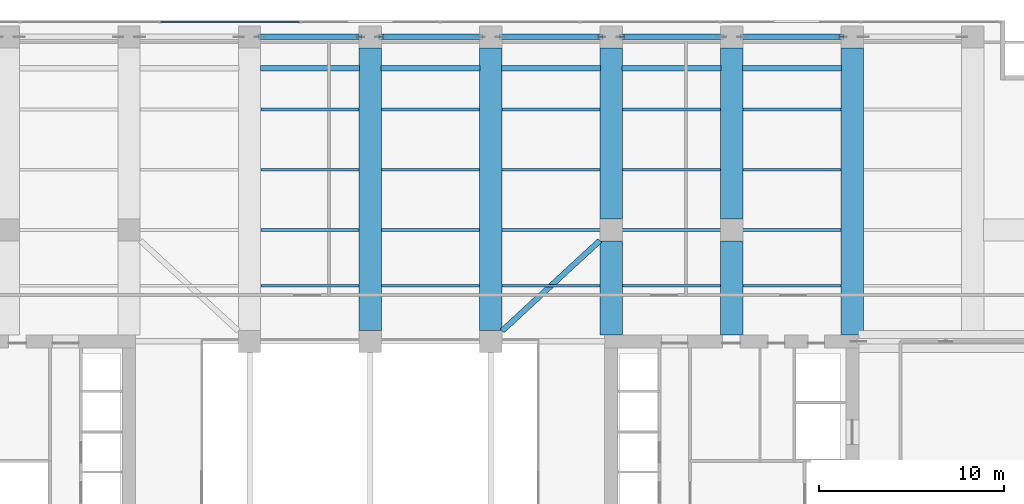
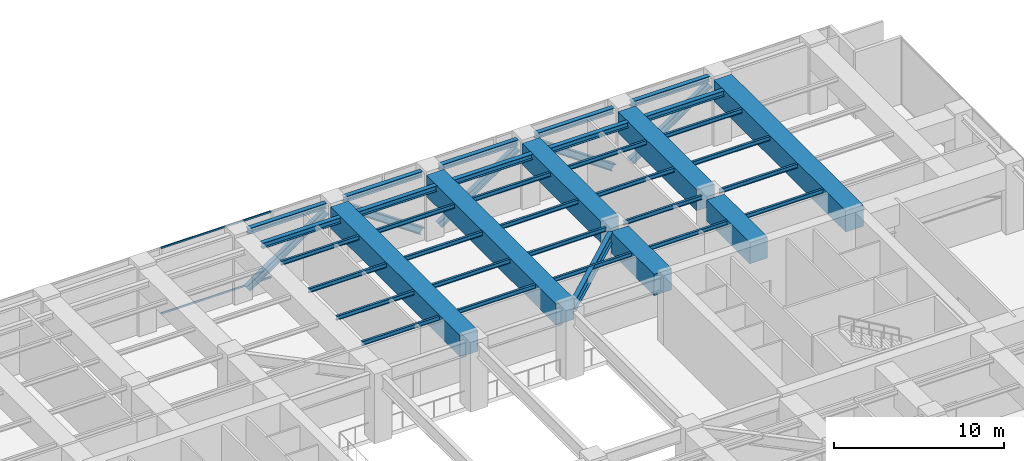
# One storey, part 9 of 28: 38 beams, 7 members, 1 element without a shape of its own.
"""IFC4 building model written with IfcOpenShell, lengths in metres."""

from ifc_helpers import new_model, si_unit, direction, frame, origin, origin_2d, place, context, subcontext, project, spatial, rectangle, i_section, extrude, material, layer, layer_set, material_profile, profile_set, type_object, element, aggregate, save


model = new_model("IFC4")

# Units and contexts
model_context = context("Model", 3, precision=1e-05, world=origin(), true_north=direction((0.0, 1.0)))
body_context = subcontext(model_context, "Body", "Model", "MODEL_VIEW")
ifc_project = project(units=[si_unit("LENGTHUNIT", "METRE"), si_unit("AREAUNIT", "SQUARE_METRE"), si_unit("VOLUMEUNIT", "CUBIC_METRE"), si_unit("PLANEANGLEUNIT", "RADIAN"), si_unit("MASSUNIT", "GRAM", prefix="KILO")], contexts=[model_context])

# Site, building, storey
site_placement = place(None, origin())
site = spatial("IfcSite", under=ifc_project, at=site_placement, CompositionType="ELEMENT")
building_placement = place(site_placement, origin())
building = spatial("IfcBuilding", under=site, at=building_placement, Name="Putna Gate Headquarters", CompositionType="ELEMENT")
storey_placement = place(building_placement, frame((0.0, 0.0, 139.199951171875)))
storey = spatial("IfcBuildingStorey", under=building, at=storey_placement, Name="L34", CompositionType="ELEMENT", Elevation=139.199951171875)

# Beams
ifc_material_1 = material(Name="Steel S355J2", Category="steel")
ifc_material_profile_1 = material_profile(ifc_material_1, i_section(OverallWidth=0.300048828125, OverallDepth=0.800048828125, WebThickness=0.017578125, FlangeThickness=0.032958984375, at=origin_2d()), Name="Steel S355J2")
ifc_profile_set_1 = profile_set([ifc_material_profile_1], Name="Steel S355J2")
beam_type_1 = type_object("IfcBeamType", Name="BM-GIRD-P-HEB800", PredefinedType="USERDEFINED", material=ifc_profile_set_1)
beam_1_placement = place(storey_placement, frame((51.3857421875, 38.43310546875, 4.3720703125), z_axis=(-0.734787788201, -0.678297063469, 0.0), x_axis=(0.678297063469, -0.734787788201, 0.0)))
element("IfcBeam", 1, at=beam_1_placement, inside=storey, type_object=beam_type_1, Name="L34 Core Flank Collector Tie Girder NE", ObjectType="GIRDER", PredefinedType="USERDEFINED", context=body_context, shape_type="SweptSolid", body=[
    extrude(i_section(OverallWidth=0.300048828125, OverallDepth=0.800048828125, WebThickness=0.017578125, FlangeThickness=0.032958984375, at=origin_2d()), origin(), (0.0, 0.0, 1.0), 7.174072265625),
])
ifc_material_profile_2 = material_profile(ifc_material_1, i_section(OverallWidth=0.14990234375, OverallDepth=0.300048828125, WebThickness=0.007080078125, FlangeThickness=0.0107421875, at=origin_2d()), Name="Steel S355J2")
ifc_profile_set_2 = profile_set([ifc_material_profile_2], Name="Steel S355J2")
beam_type_2 = type_object("IfcBeamType", Name="BM-SEC-Z3-IPE300", PredefinedType="JOIST", material=ifc_profile_set_2)
for number, where, z_axis, x_axis, name in (
    (2, (33.10400390625, 36.0, 4.6220703125), (1.0, 0.0, 0.0), (0.0, 1.0, 0.0), "L34 North Secondary Beam 5"),
    (3, (33.10400390625, 39.0, 4.6220703125), (1.0, 0.0, 0.0), (0.0, 1.0, 0.0), "L34 North Secondary Beam 5"),
    (4, (33.10400390625, 42.25, 4.6220703125), (1.0, 0.0, 0.0), (0.0, 1.0, 0.0), "L34 North Secondary Beam 5"),
    (5, (33.10400390625, 45.5, 4.6220703125), (1.0, 0.0, 0.0), (0.0, 1.0, 0.0), "L34 North Secondary Beam 5"),
    (6, (39.60400390625, 36.0, 4.6220703125), (1.0, 0.0, 0.0), (0.0, 1.0, 0.0), "L34 North Secondary Beam 6"),
    (7, (39.60400390625, 39.0, 4.6220703125), (1.0, 0.0, 0.0), (0.0, 1.0, 0.0), "L34 North Secondary Beam 6"),
    (8, (39.60400390625, 42.25, 4.6220703125), (1.0, 0.0, 0.0), (0.0, 1.0, 0.0), "L34 North Secondary Beam 6"),
    (9, (39.60400390625, 45.5, 4.6220703125), (1.0, 0.0, 0.0), (0.0, 1.0, 0.0), "L34 North Secondary Beam 6"),
    (10, (46.10400390625, 36.0, 4.6220703125), (1.0, 0.0, 0.0), (0.0, 1.0, 0.0), "L34 North Secondary Beam 7"),
):
    element("IfcBeam", number, at=place(storey_placement, frame(where, z_axis=z_axis, x_axis=x_axis)), inside=storey, type_object=beam_type_2, Name=name, PredefinedType="JOIST", context=body_context, shape_type="SweptSolid", body=[
        extrude(i_section(OverallWidth=0.14990234375, OverallDepth=0.300048828125, WebThickness=0.007080078125, FlangeThickness=0.0107421875, at=origin_2d()), origin(), (0.0, 0.0, 1.0), 5.2919921875),
    ])
beam_2_placement = place(storey_placement, frame((46.10400390625, 39.0, 4.6220703125), z_axis=(1.0, 0.0, 0.0), x_axis=(0.0, 1.0, 0.0)))
element("IfcBeam", 11, at=beam_2_placement, inside=storey, type_object=beam_type_2, Name="L34 North Secondary Beam 7", PredefinedType="JOIST", context=body_context, shape_type="SweptSolid", body=[
    extrude(i_section(OverallWidth=0.14990234375, OverallDepth=0.300048828125, WebThickness=0.007080078125, FlangeThickness=0.0107421875, at=origin_2d()), origin(), (0.0, 0.0, 1.0), 5.30810546875),
])
for number, where, z_axis, x_axis, name in (
    (12, (46.10400390625, 42.25, 4.6220703125), (1.0, 0.0, 0.0), (0.0, 1.0, 0.0), "L34 North Secondary Beam 7"),
    (13, (46.10400390625, 45.5, 4.6220703125), (1.0, 0.0, 0.0), (0.0, 1.0, 0.0), "L34 North Secondary Beam 7"),
    (14, (52.60400390625, 36.0, 4.6220703125), (1.0, 0.0, 0.0), (0.0, 1.0, 0.0), "L34 North Secondary Beam 8"),
):
    element("IfcBeam", number, at=place(storey_placement, frame(where, z_axis=z_axis, x_axis=x_axis)), inside=storey, type_object=beam_type_2, Name=name, PredefinedType="JOIST", context=body_context, shape_type="SweptSolid", body=[
        extrude(i_section(OverallWidth=0.14990234375, OverallDepth=0.300048828125, WebThickness=0.007080078125, FlangeThickness=0.0107421875, at=origin_2d()), origin(), (0.0, 0.0, 1.0), 5.2919921875),
    ])
beam_3_placement = place(storey_placement, frame((52.587890625, 39.0, 4.6220703125), z_axis=(1.0, 0.0, 0.0), x_axis=(0.0, 1.0, 0.0)))
element("IfcBeam", 15, at=beam_3_placement, inside=storey, type_object=beam_type_2, Name="L34 North Secondary Beam 8", PredefinedType="JOIST", context=body_context, shape_type="SweptSolid", body=[
    extrude(i_section(OverallWidth=0.14990234375, OverallDepth=0.300048828125, WebThickness=0.007080078125, FlangeThickness=0.0107421875, at=origin_2d()), origin(), (0.0, 0.0, 1.0), 5.32421875),
])
for number, where, z_axis, x_axis, name in (
    (16, (52.60400390625, 42.25, 4.6220703125), (1.0, 0.0, 0.0), (0.0, 1.0, 0.0), "L34 North Secondary Beam 8"),
    (17, (52.60400390625, 45.5, 4.6220703125), (1.0, 0.0, 0.0), (0.0, 1.0, 0.0), "L34 North Secondary Beam 8"),
    (18, (59.10400390625, 36.0, 4.6220703125), (1.0, 0.0, 0.0), (0.0, 1.0, 0.0), "L34 North Secondary Beam 9"),
):
    element("IfcBeam", number, at=place(storey_placement, frame(where, z_axis=z_axis, x_axis=x_axis)), inside=storey, type_object=beam_type_2, Name=name, PredefinedType="JOIST", context=body_context, shape_type="SweptSolid", body=[
        extrude(i_section(OverallWidth=0.14990234375, OverallDepth=0.300048828125, WebThickness=0.007080078125, FlangeThickness=0.0107421875, at=origin_2d()), origin(), (0.0, 0.0, 1.0), 5.2919921875),
    ])
beam_4_placement = place(storey_placement, frame((59.087890625, 39.0, 4.6220703125), z_axis=(1.0, 0.0, 0.0), x_axis=(0.0, 1.0, 0.0)))
element("IfcBeam", 19, at=beam_4_placement, inside=storey, type_object=beam_type_2, Name="L34 North Secondary Beam 9", PredefinedType="JOIST", context=body_context, shape_type="SweptSolid", body=[
    extrude(i_section(OverallWidth=0.14990234375, OverallDepth=0.300048828125, WebThickness=0.007080078125, FlangeThickness=0.0107421875, at=origin_2d()), origin(), (0.0, 0.0, 1.0), 5.30810546875),
])
for number, where, z_axis, x_axis, name in (
    (20, (59.10400390625, 42.25, 4.6220703125), (1.0, 0.0, 0.0), (0.0, 1.0, 0.0), "L34 North Secondary Beam 9"),
    (21, (59.10400390625, 45.5, 4.6220703125), (1.0, 0.0, 0.0), (0.0, 1.0, 0.0), "L34 North Secondary Beam 9"),
):
    element("IfcBeam", number, at=place(storey_placement, frame(where, z_axis=z_axis, x_axis=x_axis)), inside=storey, type_object=beam_type_2, Name=name, PredefinedType="JOIST", context=body_context, shape_type="SweptSolid", body=[
        extrude(i_section(OverallWidth=0.14990234375, OverallDepth=0.300048828125, WebThickness=0.007080078125, FlangeThickness=0.0107421875, at=origin_2d()), origin(), (0.0, 0.0, 1.0), 5.2919921875),
    ])
ifc_material_profile_3 = material_profile(ifc_material_1, i_section(OverallWidth=0.300048828125, OverallDepth=0.39990234375, WebThickness=0.013427734375, FlangeThickness=0.02392578125, at=origin_2d()), Name="Steel S355J2")
ifc_profile_set_3 = profile_set([ifc_material_profile_3], Name="Steel S355J2")
beam_type_3 = type_object("IfcBeamType", Name="BM-SPAN-Z3-HEB400", PredefinedType="SPANDREL", material=ifc_profile_set_3)
for number, where, z_axis, x_axis, name in (
    (22, (33.087890625, 49.419921875, 4.572021484375), (1.0, 0.0, 0.0), (0.0, 1.0, 0.0), "L34 N Perimeter Spandrel 5"),
    (23, (39.587890625, 49.419921875, 4.572021484375), (1.0, 0.0, 0.0), (0.0, 1.0, 0.0), "L34 N Perimeter Spandrel 6"),
    (24, (46.087890625, 49.419921875, 4.572021484375), (1.0, 0.0, 0.0), (0.0, 1.0, 0.0), "L34 N Perimeter Spandrel 7"),
    (25, (52.587890625, 49.419921875, 4.572021484375), (1.0, 0.0, 0.0), (0.0, 1.0, 0.0), "L34 N Perimeter Spandrel 8"),
    (26, (59.087890625, 49.419921875, 4.572021484375), (1.0, 0.0, 0.0), (0.0, 1.0, 0.0), "L34 N Perimeter Spandrel 9"),
):
    element("IfcBeam", number, at=place(storey_placement, frame(where, z_axis=z_axis, x_axis=x_axis)), inside=storey, type_object=beam_type_3, Name=name, PredefinedType="SPANDREL", context=body_context, shape_type="SweptSolid", body=[
        extrude(i_section(OverallWidth=0.300048828125, OverallDepth=0.39990234375, WebThickness=0.013427734375, FlangeThickness=0.02392578125, at=origin_2d()), origin(), (0.0, 0.0, 1.0), 5.32421875),
    ])
for number, where, z_axis, x_axis, name in (
    (27, (33.0849609375, 47.719970703125, 4.572021484375), (1.0, 0.0, 0.0), (0.0, 1.0, 0.0), "L34 Setback Edge Beam N4"),
    (28, (39.5849609375, 47.719970703125, 4.572021484375), (1.0, 0.0, 0.0), (0.0, 1.0, 0.0), "L34 Setback Edge Beam N5"),
    (29, (46.0849609375, 47.719970703125, 4.572021484375), (1.0, 0.0, 0.0), (0.0, 1.0, 0.0), "L34 Setback Edge Beam N6"),
    (30, (52.5849609375, 47.719970703125, 4.572021484375), (1.0, 0.0, 0.0), (0.0, 1.0, 0.0), "L34 Setback Edge Beam N7"),
    (31, (59.0849609375, 47.719970703125, 4.572021484375), (1.0, 0.0, 0.0), (0.0, 1.0, 0.0), "L34 Setback Edge Beam N8"),
):
    element("IfcBeam", number, at=place(storey_placement, frame(where, z_axis=z_axis, x_axis=x_axis)), inside=storey, type_object=beam_type_3, Name=name, PredefinedType="SPANDREL", context=body_context, shape_type="SweptSolid", body=[
        extrude(i_section(OverallWidth=0.300048828125, OverallDepth=0.39990234375, WebThickness=0.013427734375, FlangeThickness=0.02392578125, at=origin_2d()), origin(), (0.0, 0.0, 1.0), 5.330078125),
    ])
ifc_material_2 = material(Name="Concrete C50/60", Category="concrete")
ifc_material_profile_4 = material_profile(ifc_material_2, rectangle(XDim=1.199951171875, YDim=1.52001953125, at=origin_2d()), Name="Concrete C50/60")
ifc_profile_set_4 = profile_set([ifc_material_profile_4], Name="Concrete C50/60")
beam_type_4 = type_object("IfcBeamType", Name="BM-TG-RC1520", PredefinedType="USERDEFINED", material=ifc_profile_set_4)
for number, where, z_axis, x_axis, name in (
    (32, (39.0, 33.587890625, 4.011962890625), (0.0, 1.0, 0.0), (-1.0, 0.0, 0.0), "L34 North Primary Girder X39"),
    (33, (45.5, 33.587890625, 4.011962890625), (0.0, 1.0, 0.0), (-1.0, 0.0, 0.0), "L34 North Primary Girder X45"),
):
    element("IfcBeam", number, at=place(storey_placement, frame(where, z_axis=z_axis, x_axis=x_axis)), inside=storey, type_object=beam_type_4, Name=name, ObjectType="GIRDER", PredefinedType="USERDEFINED", context=body_context, shape_type="SweptSolid", body=[
        extrude(rectangle(XDim=1.199951171875, YDim=1.52001953125, at=origin_2d()), origin(), (0.0, 0.0, 1.0), 15.244140625),
    ])
beam_5_placement = place(storey_placement, frame((52.0, 33.3349609375, 4.011962890625), z_axis=(0.0, 1.0, 0.0), x_axis=(-1.0, 0.0, 0.0)))
element("IfcBeam", 34, at=beam_5_placement, inside=storey, type_object=beam_type_4, Name="L34 North Primary Girder X52-1", ObjectType="GIRDER", PredefinedType="USERDEFINED", context=body_context, shape_type="SweptSolid", body=[
    extrude(rectangle(XDim=1.199951171875, YDim=1.52001953125, at=origin_2d()), origin(), (0.0, 0.0, 1.0), 5.0771484375),
])
beam_6_placement = place(storey_placement, frame((52.0, 39.587890625, 4.011962890625), z_axis=(0.0, 1.0, 0.0), x_axis=(-1.0, 0.0, 0.0)))
element("IfcBeam", 35, at=beam_6_placement, inside=storey, type_object=beam_type_4, Name="L34 North Primary Girder X52-2", ObjectType="GIRDER", PredefinedType="USERDEFINED", context=body_context, shape_type="SweptSolid", body=[
    extrude(rectangle(XDim=1.199951171875, YDim=1.52001953125, at=origin_2d()), origin(), (0.0, 0.0, 1.0), 9.244140625),
])
beam_7_placement = place(storey_placement, frame((58.5, 33.3349609375, 4.011962890625), z_axis=(0.0, 1.0, 0.0), x_axis=(-1.0, 0.0, 0.0)))
element("IfcBeam", 36, at=beam_7_placement, inside=storey, type_object=beam_type_4, Name="L34 North Primary Girder X58-1", ObjectType="GIRDER", PredefinedType="USERDEFINED", context=body_context, shape_type="SweptSolid", body=[
    extrude(rectangle(XDim=1.199951171875, YDim=1.52001953125, at=origin_2d()), origin(), (0.0, 0.0, 1.0), 5.0771484375),
])
beam_8_placement = place(storey_placement, frame((58.5, 39.587890625, 4.011962890625), z_axis=(0.0, 1.0, 0.0), x_axis=(-1.0, 0.0, 0.0)))
element("IfcBeam", 37, at=beam_8_placement, inside=storey, type_object=beam_type_4, Name="L34 North Primary Girder X58-2", ObjectType="GIRDER", PredefinedType="USERDEFINED", context=body_context, shape_type="SweptSolid", body=[
    extrude(rectangle(XDim=1.199951171875, YDim=1.52001953125, at=origin_2d()), origin(), (0.0, 0.0, 1.0), 9.244140625),
])
beam_9_placement = place(storey_placement, frame((65.0, 33.3349609375, 4.011962890625), z_axis=(0.0, 1.0, 0.0), x_axis=(-1.0, 0.0, 0.0)))
element("IfcBeam", 38, at=beam_9_placement, inside=storey, type_object=beam_type_4, Name="L34 North Primary Girder X65", ObjectType="GIRDER", PredefinedType="USERDEFINED", context=body_context, shape_type="SweptSolid", body=[
    extrude(rectangle(XDim=1.199951171875, YDim=1.52001953125, at=origin_2d()), origin(), (0.0, 0.0, 1.0), 15.4970703125),
])

# Members
ifc_material_3 = material(Name="Steel S460M", Category="steel")
ifc_material_profile_5 = material_profile(ifc_material_3, i_section(OverallWidth=0.306884765625, OverallDepth=0.47802734375, WebThickness=0.02099609375, FlangeThickness=0.0400390625, at=origin_2d()), Name="Steel S460M")
ifc_profile_set_5 = profile_set([ifc_material_profile_5], Name="Steel S460M")
member_type_1 = type_object("IfcMemberType", Name="MEM-BELT-DIAG-HEM450", PredefinedType="BRACE", material=ifc_profile_set_5)
for number, where, z_axis, x_axis, name in (
    (39, (33.0849609375, 49.419921875, 0.449951171875), (0.823486846025, 0.0, 0.567335363277), (0.0, 1.0, 0.0), "L34 Belt Truss Diagonal N5"),
    (40, (39.5849609375, 49.419921875, 4.1220703125), (0.823486846025, 0.0, -0.567335363277), (0.0, 1.0, 0.0), "L34 Belt Truss Diagonal N6"),
    (41, (46.0849609375, 49.419921875, 0.449951171875), (0.823486846025, 0.0, 0.567335363277), (0.0, 1.0, 0.0), "L34 Belt Truss Diagonal N7"),
    (42, (52.5849609375, 49.419921875, 4.1220703125), (0.823486846025, 0.0, -0.567335363277), (0.0, 1.0, 0.0), "L34 Belt Truss Diagonal N8"),
    (43, (59.0849609375, 49.419921875, 0.449951171875), (0.823486846025, 0.0, 0.567335363277), (0.0, 1.0, 0.0), "L34 Belt Truss Diagonal N9"),
):
    element("IfcMember", number, at=place(storey_placement, frame(where, z_axis=z_axis, x_axis=x_axis)), inside=storey, type_object=member_type_1, Name=name, PredefinedType="BRACE", context=body_context, shape_type="SweptSolid", body=[
        extrude(i_section(OverallWidth=0.306884765625, OverallDepth=0.47802734375, WebThickness=0.02099609375, FlangeThickness=0.0400390625, at=origin_2d()), origin(), (0.0, 0.0, 1.0), 6.47265625),
    ])

# Curtain wall, members
ifc_material_4 = material(Name="Anodised bronze aluminium curtain wall", Category="aluminium")
ifc_layer = layer(ifc_material_4, 0.159912109375)
ifc_layer_set = layer_set([ifc_layer], Name="Anodised bronze aluminium curtain wall")
curtain_wall_type = type_object("IfcCurtainWallType", Name="CW-SYS-CRN", PredefinedType="USERDEFINED", material=ifc_layer_set)
curtain_wall_placement = place(storey_placement, origin())
curtain_wall = element("IfcCurtainWall", 44, at=curtain_wall_placement, inside=storey, type_object=curtain_wall_type, Name="L34 Acoustic Louvre North Enclosure", ObjectType="STICK CURTAIN WALL", PredefinedType="USERDEFINED")
ifc_material_5 = material(Name="Anodised bronze aluminium EN AW-6060", Category="aluminium")
ifc_material_profile_6 = material_profile(ifc_material_5, rectangle(XDim=0.06494140625, YDim=0.1201171875, at=origin_2d()), Name="Anodised bronze aluminium EN AW-6060")
ifc_profile_set_6 = profile_set([ifc_material_profile_6], Name="Anodised bronze aluminium EN AW-6060")
member_type_2 = type_object("IfcMemberType", Name="TRAN-CWT-CR", PredefinedType="USERDEFINED", material=ifc_profile_set_6)
member_1_placement = place(storey_placement, frame((27.69921875, 50.219970703125, 0.032470703125), z_axis=(1.0, 0.0, 0.0), x_axis=(0.0, 1.0, 0.0)))
member_1 = element("IfcMember", 45, at=member_1_placement, type_object=member_type_2, Name="CWS-CR transom 4.1", ObjectType="TRANSOM", PredefinedType="USERDEFINED", context=body_context, shape_type="SweptSolid", body=[
    extrude(rectangle(XDim=0.06494140625, YDim=0.1201171875, at=origin_2d()), origin(), (0.0, 0.0, 1.0), 7.490478515625),
])
member_2_placement = place(storey_placement, frame((27.69921875, 50.219970703125, 4.739501953125), z_axis=(1.0, 0.0, 0.0), x_axis=(0.0, 1.0, 0.0)))
member_2 = element("IfcMember", 46, at=member_2_placement, type_object=member_type_2, Name="CWS-CR transom 4.2", ObjectType="TRANSOM", PredefinedType="USERDEFINED", context=body_context, shape_type="SweptSolid", body=[
    extrude(rectangle(XDim=0.06494140625, YDim=0.1201171875, at=origin_2d()), origin(), (0.0, 0.0, 1.0), 7.490478515625),
])
aggregate(curtain_wall, [member_1, member_2])

save(model, "model.ifc")
